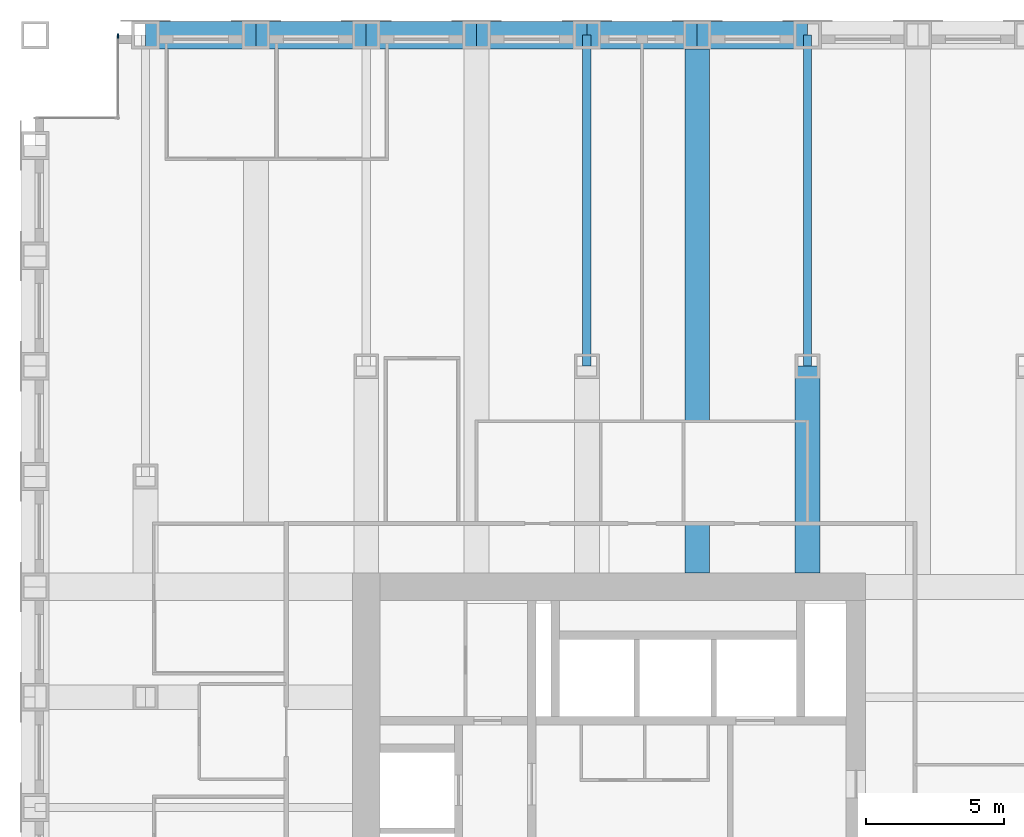
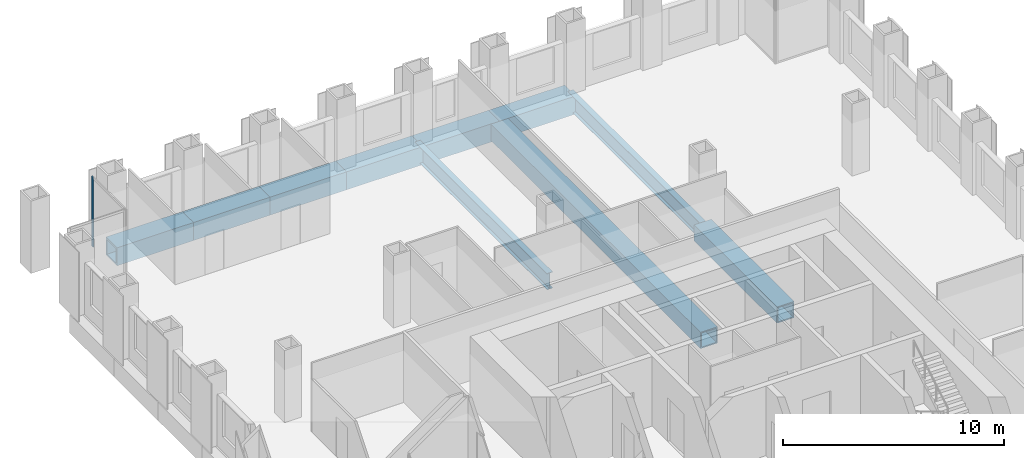
# One storey, part 6 of 14: 10 beams, 1 member, 1 element without a shape of its own.
"""IFC4 building model written with IfcOpenShell, lengths in metres."""

from ifc_helpers import new_model, si_unit, direction, frame, origin, origin_2d, place, context, subcontext, project, spatial, rectangle, hollow_rectangle, i_section, extrude, material, material_profile, profile_set, type_object, element, aggregate, save


model = new_model("IFC4")

# Units and contexts
model_context = context("Model", 3, precision=1e-05, world=origin(), true_north=direction((0.0, 1.0)))
body_context = subcontext(model_context, "Body", "Model", "MODEL_VIEW")
ifc_project = project(units=[si_unit("LENGTHUNIT", "METRE"), si_unit("AREAUNIT", "SQUARE_METRE"), si_unit("VOLUMEUNIT", "CUBIC_METRE"), si_unit("PLANEANGLEUNIT", "RADIAN"), si_unit("MASSUNIT", "GRAM", prefix="KILO")], contexts=[model_context])

# Site, building, storey
site_placement = place(None, origin())
site = spatial("IfcSite", under=ifc_project, at=site_placement, CompositionType="ELEMENT")
building_placement = place(site_placement, origin())
building = spatial("IfcBuilding", under=site, at=building_placement, Name="Rimbunsela Tower", CompositionType="ELEMENT")
storey_placement = place(building_placement, frame((0.0, 0.0, 183.800048828125)))
storey = spatial("IfcBuildingStorey", under=building, at=storey_placement, Name="L44", CompositionType="ELEMENT", Elevation=183.800048828125)

# Beams
ifc_material_1 = material(Name="Steel BJ 55 (fy 410 MPa)", Category="steel")
ifc_material_profile_1 = material_profile(ifc_material_1, hollow_rectangle(XDim=1.0, YDim=1.0, WallThickness=0.10009765625, at=origin_2d()), Name="BOX 1000x1000x100")
ifc_profile_set_1 = profile_set([ifc_material_profile_1], Name="Steel BJ 55 (fy 410 MPa)")
beam_type_1 = type_object("IfcBeamType", Name="Beam BOX 1000x1000x100", PredefinedType="BEAM", material=ifc_profile_set_1)
for number, where, z_axis, x_axis, name in (
    (1, (10.0, 56.0, -0.650146484375), (1.0, 0.0, 0.0), (0.0, 1.0, 0.0), "Beam B3 L44"),
    (2, (14.0, 56.0, -0.650146484375), (1.0, 0.0, 0.0), (0.0, 1.0, 0.0), "Beam B3 L44"),
    (3, (18.0, 56.0, -0.650146484375), (1.0, 0.0, 0.0), (0.0, 1.0, 0.0), "Beam B3 L44"),
    (4, (22.0, 56.0, -0.650146484375), (1.0, 0.0, 0.0), (0.0, 1.0, 0.0), "Beam B3 L44"),
    (5, (26.0, 56.0, -0.650146484375), (1.0, 0.0, 0.0), (0.0, 1.0, 0.0), "Beam B3 L44"),
    (6, (30.0, 56.0, -0.650146484375), (1.0, 0.0, 0.0), (0.0, 1.0, 0.0), "Beam B3 L44"),
):
    element("IfcBeam", number, at=place(storey_placement, frame(where, z_axis=z_axis, x_axis=x_axis)), inside=storey, type_object=beam_type_1, Name=name, PredefinedType="BEAM", context=body_context, shape_type="SweptSolid", body=[
        extrude(hollow_rectangle(XDim=1.0, YDim=1.0, WallThickness=0.10009765625, at=origin_2d()), origin(), (0.0, 0.0, 1.0), 4.0),
    ])
ifc_material_2 = material(Name="Steel BJ 55 (fy 410 MPa)", Category="steel")
ifc_material_profile_2 = material_profile(ifc_material_2, hollow_rectangle(XDim=0.89990234375, YDim=0.89990234375, WallThickness=0.06005859375, at=origin_2d()), Name="BOX 900x900x60")
ifc_profile_set_2 = profile_set([ifc_material_profile_2], Name="Steel BJ 55 (fy 410 MPa)")
beam_type_2 = type_object("IfcBeamType", Name="Beam BOX 900x900x60", PredefinedType="BEAM", material=ifc_profile_set_2)
beam_1_placement = place(storey_placement, frame((30.0, 36.5, -0.60009765625), z_axis=(0.0, 1.0, 0.0), x_axis=(-1.0, 0.0, 0.0)))
element("IfcBeam", 7, at=beam_1_placement, inside=storey, type_object=beam_type_2, Name="Beam B1 L44", PredefinedType="BEAM", context=body_context, shape_type="SweptSolid", body=[
    extrude(hollow_rectangle(XDim=0.89990234375, YDim=0.89990234375, WallThickness=0.06005859375, at=origin_2d()), origin(), (0.0, 0.0, 1.0), 19.5),
])
beam_2_placement = place(storey_placement, frame((34.0, 36.5, -0.60009765625), z_axis=(0.0, 1.0, 0.0), x_axis=(-1.0, 0.0, 0.0)))
element("IfcBeam", 8, at=beam_2_placement, inside=storey, type_object=beam_type_2, Name="Beam B1 L44", PredefinedType="BEAM", context=body_context, shape_type="SweptSolid", body=[
    extrude(hollow_rectangle(XDim=0.89990234375, YDim=0.89990234375, WallThickness=0.06005859375, at=origin_2d()), origin(), (0.0, 0.0, 1.0), 7.5),
])
ifc_material_3 = material(Name="Steel BJ 55 (fy 410 MPa)", Category="steel")
ifc_material_profile_3 = material_profile(ifc_material_3, i_section(OverallWidth=0.300048828125, OverallDepth=0.89990234375, WebThickness=0.01611328125, FlangeThickness=0.028076171875, FilletRadius=0.028076171875, at=origin_2d()), Name="H 900x300x16x28")
ifc_profile_set_3 = profile_set([ifc_material_profile_3], Name="Steel BJ 55 (fy 410 MPa)")
beam_type_3 = type_object("IfcBeamType", Name="Beam H 900x300x16x28", PredefinedType="BEAM", material=ifc_profile_set_3)
for number, where, z_axis, x_axis, name in (
    (9, (26.0, 44.0, -0.60009765625), (0.0, 1.0, 0.0), (-1.0, 0.0, 0.0), "Beam B2 L44"),
    (10, (34.0, 44.0, -0.60009765625), (0.0, 1.0, 0.0), (-1.0, 0.0, 0.0), "Beam B2 L44"),
):
    element("IfcBeam", number, at=place(storey_placement, frame(where, z_axis=z_axis, x_axis=x_axis)), inside=storey, type_object=beam_type_3, Name=name, PredefinedType="BEAM", context=body_context, shape_type="SweptSolid", body=[
        extrude(i_section(OverallWidth=0.300048828125, OverallDepth=0.89990234375, WebThickness=0.01611328125, FlangeThickness=0.028076171875, FilletRadius=0.028076171875, at=origin_2d()), origin(), (0.0, 0.0, 1.0), 12.0),
    ])

# Curtain wall, member
ifc_material_4 = material(Name="Aluminium curtain wall", Category="aluminium")
curtain_wall_type = type_object("IfcCurtainWallType", Name="Corner glazing", PredefinedType="USERDEFINED", material=ifc_material_4)
curtain_wall_placement = place(storey_placement, origin())
curtain_wall = element("IfcCurtainWall", 11, at=curtain_wall_placement, inside=storey, type_object=curtain_wall_type, Name="Corner glazing L44", ObjectType="CORNER GLAZING", PredefinedType="USERDEFINED")
ifc_material_5 = material(Name="Aluminium mullion", Category="aluminium")
ifc_material_profile_4 = material_profile(ifc_material_5, rectangle(XDim=0.06005859375, YDim=0.159912109375, at=origin_2d()), Name="Mullion 60x160")
ifc_profile_set_4 = profile_set([ifc_material_profile_4], Name="Aluminium mullion")
member_type = type_object("IfcMemberType", Name="Curtain wall mullion 60x160", PredefinedType="MULLION", material=ifc_profile_set_4)
member_placement = place(storey_placement, frame((9.0, 55.969970703125, 0.0), z_axis=(0.0, 0.0, 1.0), x_axis=(1.0, 0.0, 0.0)))
member = element("IfcMember", 12, at=member_placement, type_object=member_type, Name="CW5 mullion 1", PredefinedType="MULLION", context=body_context, shape_type="SweptSolid", body=[
    extrude(rectangle(XDim=0.06005859375, YDim=0.159912109375, at=origin_2d()), origin(), (0.0, 0.0, 1.0), 3.849853515625),
])
aggregate(curtain_wall, [member])

save(model, "model.ifc")
